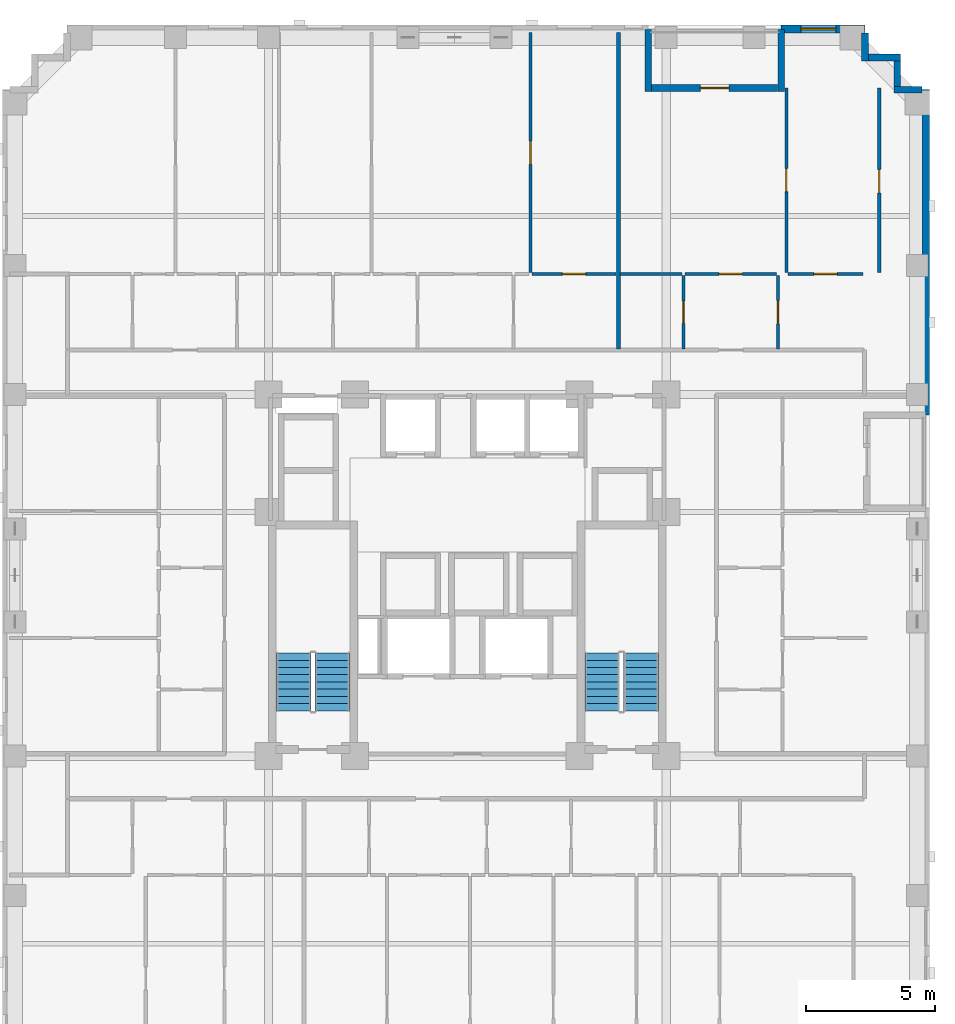
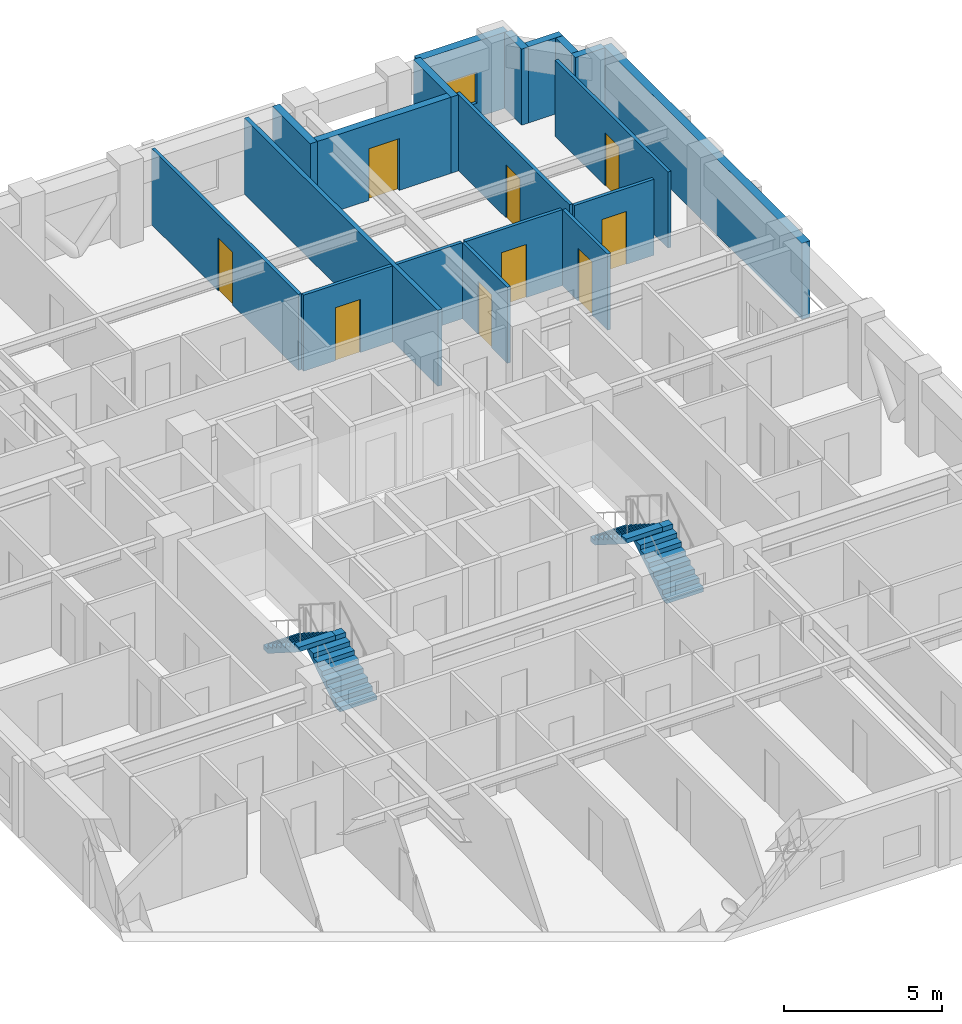
# One storey, part 8 of 12: 19 walls, 9 doors, 4 stair flights, 1 window, 10 openings, 2 elements without a shape of their own.
"""IFC4 building model written with IfcOpenShell, lengths in metres."""

from ifc_helpers import new_model, si_unit, derived_unit, direction, frame, frame_2d, origin, place, context, subcontext, project, spatial, polyline, rectangle, outline, extrude, material, layer, layer_set, type_object, element, fill, aggregate, save


model = new_model("IFC4")

# Units and contexts
model_context = context("Model", 3, precision=1e-05, world=origin(), true_north=direction((0.0, 1.0)))
body_context = subcontext(model_context, "Body", "Model", "MODEL_VIEW")
ifc_project = project(units=[si_unit("LENGTHUNIT", "METRE"), si_unit("AREAUNIT", "SQUARE_METRE"), si_unit("VOLUMEUNIT", "CUBIC_METRE"), si_unit("PLANEANGLEUNIT", "RADIAN"), si_unit("MASSUNIT", "GRAM", prefix="KILO"), derived_unit("THERMALTRANSMITTANCEUNIT", [(si_unit("MASSUNIT", "GRAM", prefix="KILO"), 1), (si_unit("TIMEUNIT", "SECOND"), -3), (si_unit("THERMODYNAMICTEMPERATUREUNIT", "KELVIN"), -1)])], contexts=[model_context])

# Site, building, storey
site_placement = place(None, origin())
site = spatial("IfcSite", under=ifc_project, at=site_placement, CompositionType="ELEMENT")
building_placement = place(site_placement, origin())
building = spatial("IfcBuilding", under=site, at=building_placement, Name="Korrvale Station Residences", CompositionType="ELEMENT")
storey_placement = place(building_placement, frame((0.0, 0.0, 84.699951171875)))
storey = spatial("IfcBuildingStorey", under=building, at=storey_placement, Name="L23", CompositionType="ELEMENT", Elevation=84.699951171875)

# Wall
ifc_material_1 = material(Name="Precast concrete C45/55", Category="concrete")
ifc_layer_1 = layer(ifc_material_1, 0.260009765625, Name="Precast concrete C45/55")
ifc_layer_set_1 = layer_set([ifc_layer_1], Name="Precast concrete C45/55")
wall_type_1 = type_object("IfcWallType", Name="WAL-EXT-LOG260", PredefinedType="SOLIDWALL", material=ifc_layer_set_1)
wall_1_placement = place(storey_placement, frame((32.5, 43.139892578125, 0.0), z_axis=(0.0, 0.0, 1.0), x_axis=(0.0, -1.0, 0.0)))
element("IfcWall", 1, at=wall_1_placement, inside=storey, type_object=wall_type_1, Name="L23 Recessed Loggia Wall BAL-L23-N1-L", PredefinedType="SOLIDWALL", context=body_context, shape_type="SweptSolid", body=[
    extrude(rectangle(XDim=2.39990234375, YDim=0.260009765625, at=frame_2d((1.199951171875, 0.0))), origin(), (0.0, 0.0, 1.0), 2.93994140625),
])

# Wall, opening, door
wall_2_placement = place(storey_placement, frame((32.634033203125, 40.8701171875, 0.0), z_axis=(0.0, 0.0, 1.0), x_axis=(1.0, 0.0, 0.0)))
wall_2 = element("IfcWall", 2, at=wall_2_placement, inside=storey, type_object=wall_type_1, Name="L23 Recessed Loggia Wall BAL-L23-N1-B", PredefinedType="SOLIDWALL", context=body_context, shape_type="SweptSolid", body=[
    extrude(rectangle(XDim=4.882080078125, YDim=0.260009765625, at=frame_2d((2.44091796875, 0.0))), origin(), (0.0, 0.0, 1.0), 2.93994140625),
])
opening_1_placement = place(wall_2_placement, frame((1.89111328125, 0.0, 0.0)))
opening_1 = element("IfcOpeningElement", 3, at=opening_1_placement, cuts=wall_2, Name="Opening BD-01", PredefinedType="OPENING", context=body_context, shape_type="SweptSolid", body=[
    extrude(rectangle(XDim=1.10009765625, YDim=2.0, at=frame_2d((0.550048828125, 1.0))), frame((0.0, 0.14013671875, 0.0), z_axis=(0.0, -1.0, 0.0), x_axis=(1.0, 0.0, 0.0)), (0.0, 0.0, 1.0), 0.280029296875),
])
ifc_material_2 = material(Name="Exterior thermally broken aluminium glazed balcony door", Category="aluminium")
door_type_1 = type_object("IfcDoorType", Name="DR-EXT-BAL", OperationType="NOTDEFINED", PredefinedType="DOOR", material=ifc_material_2)
door_1_placement = place(opening_1_placement, origin())
door_1 = element("IfcDoor", 4, at=door_1_placement, inside=storey, type_object=door_type_1, Name="L23 Loggia Balcony Door BAL-L23-N1", OperationType="SINGLE_SWING_LEFT", OverallHeight=2.0, OverallWidth=1.10009765625, PredefinedType="DOOR", context=body_context, shape_type="SweptSolid", body=[
    extrude(rectangle(XDim=1.10009765625, YDim=2.0, at=frame_2d((0.550048828125, 1.0))), frame((0.0, 0.02490234375, 0.0), z_axis=(0.0, -1.0, 0.0), x_axis=(1.0, 0.0, 0.0)), (0.0, 0.0, 1.0), 0.050048828125),
])
fill(opening_1, door_1)

# Walls
wall_3_placement = place(storey_placement, frame((37.64990234375, 40.739990234375, 0.0), z_axis=(0.0, 0.0, 1.0), x_axis=(0.0, 1.0, 0.0)))
element("IfcWall", 5, at=wall_3_placement, inside=storey, type_object=wall_type_1, Name="L23 Recessed Loggia Wall BAL-L23-N1-R", PredefinedType="SOLIDWALL", context=body_context, shape_type="SweptSolid", body=[
    extrude(rectangle(XDim=2.39990234375, YDim=0.260009765625, at=frame_2d((1.199951171875, 0.0))), origin(), (0.0, 0.0, 1.0), 2.93994140625),
])
wall_4_placement = place(storey_placement, frame((40.89990234375, 42.998046875, 0.0), z_axis=(0.0, 0.0, 1.0), x_axis=(0.0, -1.0, 0.0)))
element("IfcWall", 6, at=wall_4_placement, inside=storey, type_object=wall_type_1, Name="L23 Serrated Corner Precast Step NE-1", PredefinedType="SOLIDWALL", context=body_context, shape_type="SweptSolid", body=[
    extrude(rectangle(XDim=1.078125, YDim=0.260009765625, at=frame_2d((0.5390625, 0.0))), origin(), (0.0, 0.0, 1.0), 2.93994140625),
])
wall_5_placement = place(storey_placement, frame((41.031982421875, 42.050048828125, 0.0), z_axis=(0.0, 0.0, 1.0), x_axis=(1.0, 0.0, 0.0)))
element("IfcWall", 7, at=wall_5_placement, inside=storey, type_object=wall_type_1, Name="L23 Serrated Corner Precast Step NE-2", PredefinedType="SOLIDWALL", context=body_context, shape_type="SweptSolid", body=[
    extrude(rectangle(XDim=1.248046875, YDim=0.260009765625, at=frame_2d((0.6240234375, 0.0))), origin(), (0.0, 0.0, 1.0), 2.93994140625),
])
wall_6_placement = place(storey_placement, frame((42.14990234375, 41.91796875, 0.0), z_axis=(0.0, 0.0, 1.0), x_axis=(0.0, -1.0, 0.0)))
element("IfcWall", 8, at=wall_6_placement, inside=storey, type_object=wall_type_1, Name="L23 Serrated Corner Precast Step NE-3", PredefinedType="SOLIDWALL", context=body_context, shape_type="SweptSolid", body=[
    extrude(rectangle(XDim=0.986083984375, YDim=0.260009765625, at=frame_2d((0.4931640625, 0.0))), origin(), (0.0, 0.0, 1.0), 2.93994140625),
])
wall_7_placement = place(storey_placement, frame((42.02001953125, 40.800048828125, 0.0), z_axis=(0.0, 0.0, 1.0), x_axis=(1.0, 0.0, 0.0)))
element("IfcWall", 9, at=wall_7_placement, inside=storey, type_object=wall_type_1, Name="L23 Serrated Corner Precast Step NE-4", PredefinedType="SOLIDWALL", context=body_context, shape_type="SweptSolid", body=[
    extrude(rectangle(XDim=1.077880859375, YDim=0.260009765625, at=frame_2d((0.5390625, 0.0))), origin(), (0.0, 0.0, 1.0), 2.93994140625),
])

# Wall, opening, window
ifc_layer_2 = layer(ifc_material_1, 0.300048828125, Name="Precast concrete C45/55")
ifc_layer_set_2 = layer_set([ifc_layer_2], Name="Precast concrete C45/55")
wall_type_2 = type_object("IfcWallType", Name="WAL-EXT-PC300", PredefinedType="SOLIDWALL", material=ifc_layer_set_2)
wall_8_placement = place(storey_placement, frame((37.64990234375, 43.14990234375, 0.0), z_axis=(0.0, 0.0, 1.0), x_axis=(1.0, 0.0, 0.0)))
wall_8 = element("IfcWall", 10, at=wall_8_placement, inside=storey, type_object=wall_type_2, Name="L23 North Exterior Precast Wall 2", PredefinedType="SOLIDWALL", context=body_context, shape_type="SweptSolid", body=[
    extrude(rectangle(XDim=3.25, YDim=0.300048828125, at=frame_2d((1.625, 0.0))), origin(), (0.0, 0.0, 1.0), 2.93994140625),
])
opening_2_placement = place(wall_8_placement, frame((0.764892578125, 0.0, 0.550048828125)))
opening_2 = element("IfcOpeningElement", 11, at=opening_2_placement, cuts=wall_8, Name="Opening W-10", PredefinedType="OPENING", context=body_context, shape_type="SweptSolid", body=[
    extrude(rectangle(XDim=1.35009765625, YDim=1.199951171875, at=frame_2d((0.675048828125, 0.60009765625))), frame((0.0, 0.16015625, 0.0), z_axis=(0.0, -1.0, 0.0), x_axis=(1.0, 0.0, 0.0)), (0.0, 0.0, 1.0), 0.320068359375),
])
ifc_material_3 = material(Name="Thermally broken aluminium frame with triple low-e glazing", Category="aluminium")
window_type = type_object("IfcWindowType", Name="WIN-W10", PartitioningType="SINGLE_PANEL", PredefinedType="WINDOW", material=ifc_material_3)
window_placement = place(opening_2_placement, origin())
window = element("IfcWindow", 12, at=window_placement, inside=storey, type_object=window_type, Name="L23 Punched Window 18", OverallHeight=1.199951171875, OverallWidth=1.35009765625, PartitioningType="SINGLE_PANEL", PredefinedType="WINDOW", context=body_context, shape_type="SweptSolid", body=[
    extrude(rectangle(XDim=1.35009765625, YDim=1.199951171875, at=frame_2d((0.675048828125, 0.60009765625))), frame((0.0, 0.030029296875, 0.0), z_axis=(0.0, -1.0, 0.0), x_axis=(1.0, 0.0, 0.0)), (0.0, 0.0, 1.0), 0.06005859375),
])
fill(opening_2, window)

# Wall
wall_9_placement = place(storey_placement, frame((43.25, 40.800048828125, 0.0), z_axis=(0.0, 0.0, 1.0), x_axis=(0.0, -1.0, 0.0)))
element("IfcWall", 13, at=wall_9_placement, inside=storey, type_object=wall_type_2, Name="L23 East Exterior Precast Wall 1", PredefinedType="SOLIDWALL", context=body_context, shape_type="SweptSolid", body=[
    extrude(rectangle(XDim=12.60009765625, YDim=0.300048828125, at=frame_2d((6.300048828125, 0.0))), origin(), (0.0, 0.0, 1.0), 2.93994140625),
])

# Wall, opening, door
ifc_material_4 = material(Name="Acoustic steel-stud gypsum board partition", Category="steel")
ifc_layer_3 = layer(ifc_material_4, 0.1201171875, Name="Acoustic steel-stud gypsum board partition")
ifc_layer_set_3 = layer_set([ifc_layer_3], Name="Acoustic steel-stud gypsum board partition")
wall_type_3 = type_object("IfcWallType", Name="WAL-PART-125", PredefinedType="PARTITIONING", material=ifc_layer_set_3)
wall_10_placement = place(storey_placement, frame((28.010009765625, 33.669921875, 0.0), z_axis=(0.0, 0.0, 1.0), x_axis=(1.0, 0.0, 0.0)))
wall_10 = element("IfcWall", 14, at=wall_10_placement, inside=storey, type_object=wall_type_3, Name="L23 Suite Partition U03-H510", PredefinedType="PARTITIONING", context=body_context, shape_type="SweptSolid", body=[
    extrude(rectangle(XDim=3.239990234375, YDim=0.1201171875, at=frame_2d((1.6201171875, 0.0))), origin(), (0.0, 0.0, 1.0), 2.93994140625),
])
opening_3_placement = place(wall_10_placement, frame((1.169921875, 0.0, 0.0)))
opening_3 = element("IfcOpeningElement", 15, at=opening_3_placement, cuts=wall_10, Name="Opening DI-900", PredefinedType="OPENING", context=body_context, shape_type="SweptSolid", body=[
    extrude(rectangle(XDim=0.89990234375, YDim=2.050048828125, at=frame_2d((0.449951171875, 1.02490234375))), frame((0.0, 0.070068359375, 0.0), z_axis=(0.0, -1.0, 0.0), x_axis=(1.0, 0.0, 0.0)), (0.0, 0.0, 1.0), 0.14013671875),
])
ifc_material_5 = material(Name="Painted solid-core timber interior room door", Category="wood")
door_type_2 = type_object("IfcDoorType", Name="DR-INT-900", OperationType="NOTDEFINED", PredefinedType="DOOR", material=ifc_material_5)
door_2_placement = place(opening_3_placement, origin())
door_2 = element("IfcDoor", 16, at=door_2_placement, inside=storey, type_object=door_type_2, Name="L23 Apartment 1BR L23-U03 Storage Closet 4 Door", OperationType="SINGLE_SWING_RIGHT", OverallHeight=2.050048828125, OverallWidth=0.89990234375, PredefinedType="DOOR", context=body_context, shape_type="SweptSolid", body=[
    extrude(rectangle(XDim=0.89990234375, YDim=2.050048828125, at=frame_2d((0.449951171875, 1.02490234375))), frame((0.0, 0.02490234375, 0.0), z_axis=(0.0, -1.0, 0.0), x_axis=(1.0, 0.0, 0.0)), (0.0, 0.0, 1.0), 0.050048828125),
])
fill(opening_3, door_2)

wall_11_placement = place(storey_placement, frame((27.949951171875, 33.72998046875, 0.0), z_axis=(0.0, 0.0, 1.0), x_axis=(0.0, 1.0, 0.0)))
wall_11 = element("IfcWall", 17, at=wall_11_placement, inside=storey, type_object=wall_type_3, Name="L23 Suite Partition U03-V910", PredefinedType="PARTITIONING", context=body_context, shape_type="SweptSolid", body=[
    extrude(rectangle(XDim=9.2900390625, YDim=0.1201171875, at=frame_2d((4.64501953125, 0.0))), origin(), (0.0, 0.0, 1.0), 2.93994140625),
])
opening_4_placement = place(wall_11_placement, frame((4.179931640625, 0.0, 0.0)))
opening_4 = element("IfcOpeningElement", 18, at=opening_4_placement, cuts=wall_11, Name="Opening DI-900", PredefinedType="OPENING", context=body_context, shape_type="SweptSolid", body=[
    extrude(rectangle(XDim=0.89990234375, YDim=2.050048828125, at=frame_2d((0.449951171875, 1.02490234375))), frame((0.0, 0.070068359375, 0.0), z_axis=(0.0, -1.0, 0.0), x_axis=(1.0, 0.0, 0.0)), (0.0, 0.0, 1.0), 0.14013671875),
])
door_3_placement = place(opening_4_placement, origin())
door_3 = element("IfcDoor", 19, at=door_3_placement, inside=storey, type_object=door_type_2, Name="L23 Apartment 1BR L23-U03 Wardrobe Storage Room Door", OperationType="SINGLE_SWING_RIGHT", OverallHeight=2.050048828125, OverallWidth=0.89990234375, PredefinedType="DOOR", context=body_context, shape_type="SweptSolid", body=[
    extrude(rectangle(XDim=0.89990234375, YDim=2.050048828125, at=frame_2d((0.449951171875, 1.02490234375))), frame((0.0, 0.02490234375, 0.0), z_axis=(0.0, -1.0, 0.0), x_axis=(1.0, 0.0, 0.0)), (0.0, 0.0, 1.0), 0.050048828125),
])
fill(opening_4, door_3)

wall_12_placement = place(storey_placement, frame((33.8701171875, 30.760009765625, 0.0), z_axis=(0.0, 0.0, 1.0), x_axis=(0.0, 1.0, 0.0)))
wall_12 = element("IfcWall", 20, at=wall_12_placement, inside=storey, type_object=wall_type_3, Name="L23 Suite Partition U04-V01", PredefinedType="PARTITIONING", context=body_context, shape_type="SweptSolid", body=[
    extrude(rectangle(XDim=2.85009765625, YDim=0.1201171875, at=frame_2d((1.425048828125, 0.0))), origin(), (0.0, 0.0, 1.0), 2.93994140625),
])
opening_5_placement = place(wall_12_placement, frame((0.9951171875, 0.0, 0.0)))
opening_5 = element("IfcOpeningElement", 21, at=opening_5_placement, cuts=wall_12, Name="Opening DB-860", PredefinedType="OPENING", context=body_context, shape_type="SweptSolid", body=[
    extrude(rectangle(XDim=0.860107421875, YDim=2.050048828125, at=frame_2d((0.43017578125, 1.02490234375))), frame((0.0, 0.070068359375, 0.0), z_axis=(0.0, -1.0, 0.0), x_axis=(1.0, 0.0, 0.0)), (0.0, 0.0, 1.0), 0.14013671875),
])
ifc_material_6 = material(Name="Moisture-resistant solid-core bathroom door", Category="timber")
door_type_3 = type_object("IfcDoorType", Name="DR-BATH-860", OperationType="NOTDEFINED", PredefinedType="DOOR", material=ifc_material_6)
door_4_placement = place(opening_5_placement, origin())
door_4 = element("IfcDoor", 22, at=door_4_placement, inside=storey, type_object=door_type_3, Name="L23 Apartment 1BR L23-U04 Bathroom Door", OperationType="SINGLE_SWING_LEFT", OverallHeight=2.050048828125, OverallWidth=0.860107421875, PredefinedType="DOOR", context=body_context, shape_type="SweptSolid", body=[
    extrude(rectangle(XDim=0.860107421875, YDim=2.050048828125, at=frame_2d((0.43017578125, 1.02490234375))), frame((0.0, 0.02490234375, 0.0), z_axis=(0.0, -1.0, 0.0), x_axis=(1.0, 0.0, 0.0)), (0.0, 0.0, 1.0), 0.050048828125),
])
fill(opening_5, door_4)

# Wall
wall_13_placement = place(storey_placement, frame((31.409912109375, 33.669921875, 0.0), z_axis=(0.0, 0.0, 1.0), x_axis=(1.0, 0.0, 0.0)))
element("IfcWall", 23, at=wall_13_placement, inside=storey, type_object=wall_type_3, Name="L23 Suite Partition U04-H03", PredefinedType="PARTITIONING", context=body_context, shape_type="SweptSolid", body=[
    extrude(rectangle(XDim=2.400146484375, YDim=0.1201171875, at=frame_2d((1.2001953125, 0.0))), origin(), (0.0, 0.0, 1.0), 2.93994140625),
])

# Wall, opening, door
wall_14_placement = place(storey_placement, frame((37.530029296875, 30.760009765625, 0.0), z_axis=(0.0, 0.0, 1.0), x_axis=(0.0, 1.0, 0.0)))
wall_14 = element("IfcWall", 24, at=wall_14_placement, inside=storey, type_object=wall_type_3, Name="L23 Suite Partition U04-V12", PredefinedType="PARTITIONING", context=body_context, shape_type="SweptSolid", body=[
    extrude(rectangle(XDim=2.85009765625, YDim=0.1201171875, at=frame_2d((1.425048828125, 0.0))), origin(), (0.0, 0.0, 1.0), 2.93994140625),
])
opening_6_placement = place(wall_14_placement, frame((0.97509765625, 0.0, 0.0)))
opening_6 = element("IfcOpeningElement", 25, at=opening_6_placement, cuts=wall_14, Name="Opening DI-900", PredefinedType="OPENING", context=body_context, shape_type="SweptSolid", body=[
    extrude(rectangle(XDim=0.89990234375, YDim=2.050048828125, at=frame_2d((0.449951171875, 1.02490234375))), frame((0.0, 0.070068359375, 0.0), z_axis=(0.0, -1.0, 0.0), x_axis=(1.0, 0.0, 0.0)), (0.0, 0.0, 1.0), 0.14013671875),
])
door_5_placement = place(opening_6_placement, origin())
door_5 = element("IfcDoor", 26, at=door_5_placement, inside=storey, type_object=door_type_2, Name="L23 Apartment 1BR L23-U04 Kitchen Door", OperationType="SINGLE_SWING_RIGHT", OverallHeight=2.050048828125, OverallWidth=0.89990234375, PredefinedType="DOOR", context=body_context, shape_type="SweptSolid", body=[
    extrude(rectangle(XDim=0.89990234375, YDim=2.050048828125, at=frame_2d((0.449951171875, 1.02490234375))), frame((0.0, 0.02490234375, 0.0), z_axis=(0.0, -1.0, 0.0), x_axis=(1.0, 0.0, 0.0)), (0.0, 0.0, 1.0), 0.050048828125),
])
fill(opening_6, door_5)

wall_15_placement = place(storey_placement, frame((33.929931640625, 33.669921875, 0.0), z_axis=(0.0, 0.0, 1.0), x_axis=(1.0, 0.0, 0.0)))
wall_15 = element("IfcWall", 27, at=wall_15_placement, inside=storey, type_object=wall_type_3, Name="L23 Suite Partition U04-H13", PredefinedType="PARTITIONING", context=body_context, shape_type="SweptSolid", body=[
    extrude(rectangle(XDim=3.5400390625, YDim=0.1201171875, at=frame_2d((1.77001953125, 0.0))), origin(), (0.0, 0.0, 1.0), 2.93994140625),
])
opening_7_placement = place(wall_15_placement, frame((1.320068359375, 0.0, 0.0)))
opening_7 = element("IfcOpeningElement", 28, at=opening_7_placement, cuts=wall_15, Name="Opening DI-900", PredefinedType="OPENING", context=body_context, shape_type="SweptSolid", body=[
    extrude(rectangle(XDim=0.89990234375, YDim=2.050048828125, at=frame_2d((0.449951171875, 1.02490234375))), frame((0.0, 0.070068359375, 0.0), z_axis=(0.0, -1.0, 0.0), x_axis=(1.0, 0.0, 0.0)), (0.0, 0.0, 1.0), 0.14013671875),
])
door_6_placement = place(opening_7_placement, origin())
door_6 = element("IfcDoor", 29, at=door_6_placement, inside=storey, type_object=door_type_2, Name="L23 Apartment 1BR L23-U04 Kitchen Door", OperationType="SINGLE_SWING_LEFT", OverallHeight=2.050048828125, OverallWidth=0.89990234375, PredefinedType="DOOR", context=body_context, shape_type="SweptSolid", body=[
    extrude(rectangle(XDim=0.89990234375, YDim=2.050048828125, at=frame_2d((0.449951171875, 1.02490234375))), frame((0.0, 0.02490234375, 0.0), z_axis=(0.0, -1.0, 0.0), x_axis=(1.0, 0.0, 0.0)), (0.0, 0.0, 1.0), 0.050048828125),
])
fill(opening_7, door_6)

wall_16_placement = place(storey_placement, frame((37.909912109375, 33.669921875, 0.0), z_axis=(0.0, 0.0, 1.0), x_axis=(1.0, 0.0, 0.0)))
wall_16 = element("IfcWall", 30, at=wall_16_placement, inside=storey, type_object=wall_type_3, Name="L23 Suite Partition U04-H24", PredefinedType="PARTITIONING", context=body_context, shape_type="SweptSolid", body=[
    extrude(rectangle(XDim=2.91015625, YDim=0.1201171875, at=frame_2d((1.455078125, 0.0))), origin(), (0.0, 0.0, 1.0), 2.93994140625),
])
opening_8_placement = place(wall_16_placement, frame((1.0048828125, 0.0, 0.0)))
opening_8 = element("IfcOpeningElement", 31, at=opening_8_placement, cuts=wall_16, Name="Opening DI-900", PredefinedType="OPENING", context=body_context, shape_type="SweptSolid", body=[
    extrude(rectangle(XDim=0.89990234375, YDim=2.050048828125, at=frame_2d((0.449951171875, 1.02490234375))), frame((0.0, 0.070068359375, 0.0), z_axis=(0.0, -1.0, 0.0), x_axis=(1.0, 0.0, 0.0)), (0.0, 0.0, 1.0), 0.14013671875),
])
door_7_placement = place(opening_8_placement, origin())
door_7 = element("IfcDoor", 32, at=door_7_placement, inside=storey, type_object=door_type_2, Name="L23 Apartment 1BR L23-U04 Utility and Laundry Room Door", OperationType="SINGLE_SWING_RIGHT", OverallHeight=2.050048828125, OverallWidth=0.89990234375, PredefinedType="DOOR", context=body_context, shape_type="SweptSolid", body=[
    extrude(rectangle(XDim=0.89990234375, YDim=2.050048828125, at=frame_2d((0.449951171875, 1.02490234375))), frame((0.0, 0.02490234375, 0.0), z_axis=(0.0, -1.0, 0.0), x_axis=(1.0, 0.0, 0.0)), (0.0, 0.0, 1.0), 0.050048828125),
])
fill(opening_8, door_7)

wall_17_placement = place(storey_placement, frame((37.85009765625, 33.72998046875, 0.0), z_axis=(0.0, 0.0, 1.0), x_axis=(0.0, 1.0, 0.0)))
wall_17 = element("IfcWall", 33, at=wall_17_placement, inside=storey, type_object=wall_type_3, Name="L23 Suite Partition U04-V34", PredefinedType="PARTITIONING", context=body_context, shape_type="SweptSolid", body=[
    extrude(rectangle(XDim=7.14013671875, YDim=0.1201171875, at=frame_2d((3.570068359375, 0.0))), origin(), (0.0, 0.0, 1.0), 2.93994140625),
])
opening_9_placement = place(wall_17_placement, frame((3.1201171875, 0.0, 0.0)))
opening_9 = element("IfcOpeningElement", 34, at=opening_9_placement, cuts=wall_17, Name="Opening DI-900", PredefinedType="OPENING", context=body_context, shape_type="SweptSolid", body=[
    extrude(rectangle(XDim=0.89990234375, YDim=2.050048828125, at=frame_2d((0.449951171875, 1.02490234375))), frame((0.0, 0.070068359375, 0.0), z_axis=(0.0, -1.0, 0.0), x_axis=(1.0, 0.0, 0.0)), (0.0, 0.0, 1.0), 0.14013671875),
])
door_8_placement = place(opening_9_placement, origin())
door_8 = element("IfcDoor", 35, at=door_8_placement, inside=storey, type_object=door_type_2, Name="L23 Apartment 1BR L23-U04 Living and Dining Room Door", OperationType="SINGLE_SWING_LEFT", OverallHeight=2.050048828125, OverallWidth=0.89990234375, PredefinedType="DOOR", context=body_context, shape_type="SweptSolid", body=[
    extrude(rectangle(XDim=0.89990234375, YDim=2.050048828125, at=frame_2d((0.449951171875, 1.02490234375))), frame((0.0, 0.02490234375, 0.0), z_axis=(0.0, -1.0, 0.0), x_axis=(1.0, 0.0, 0.0)), (0.0, 0.0, 1.0), 0.050048828125),
])
fill(opening_9, door_8)

wall_18_placement = place(storey_placement, frame((41.449951171875, 33.72998046875, 0.0), z_axis=(0.0, 0.0, 1.0), x_axis=(0.0, 1.0, 0.0)))
wall_18 = element("IfcWall", 36, at=wall_18_placement, inside=storey, type_object=wall_type_3, Name="L23 Suite Partition U04-V45", PredefinedType="PARTITIONING", context=body_context, shape_type="SweptSolid", body=[
    extrude(rectangle(XDim=7.14013671875, YDim=0.1201171875, at=frame_2d((3.570068359375, 0.0))), origin(), (0.0, 0.0, 1.0), 2.93994140625),
])
opening_10_placement = place(wall_18_placement, frame((3.074951171875, 0.0, 0.0)))
opening_10 = element("IfcOpeningElement", 37, at=opening_10_placement, cuts=wall_18, Name="Opening DI-900", PredefinedType="OPENING", context=body_context, shape_type="SweptSolid", body=[
    extrude(rectangle(XDim=0.89990234375, YDim=2.050048828125, at=frame_2d((0.449951171875, 1.02490234375))), frame((0.0, 0.070068359375, 0.0), z_axis=(0.0, -1.0, 0.0), x_axis=(1.0, 0.0, 0.0)), (0.0, 0.0, 1.0), 0.14013671875),
])
door_9_placement = place(opening_10_placement, origin())
door_9 = element("IfcDoor", 38, at=door_9_placement, inside=storey, type_object=door_type_2, Name="L23 Apartment 1BR L23-U04 Bedroom 1 Door", OperationType="SINGLE_SWING_RIGHT", OverallHeight=2.050048828125, OverallWidth=0.89990234375, PredefinedType="DOOR", context=body_context, shape_type="SweptSolid", body=[
    extrude(rectangle(XDim=0.89990234375, YDim=2.050048828125, at=frame_2d((0.449951171875, 1.02490234375))), frame((0.0, 0.02490234375, 0.0), z_axis=(0.0, -1.0, 0.0), x_axis=(1.0, 0.0, 0.0)), (0.0, 0.0, 1.0), 0.050048828125),
])
fill(opening_10, door_9)

# Wall
ifc_material_7 = material(Name="Fire-rated twin-stud gypsum and mineral wool shaftwall assembly", Category="gypsum")
ifc_layer_4 = layer(ifc_material_7, 0.159912109375, Name="Fire-rated twin-stud gypsum and mineral wool shaftwall assembly")
ifc_layer_set_4 = layer_set([ifc_layer_4], Name="Fire-rated twin-stud gypsum and mineral wool shaftwall assembly")
wall_type_4 = type_object("IfcWallType", Name="WAL-PART-200", PredefinedType="PARTITIONING", material=ifc_layer_set_4)
wall_19_placement = place(storey_placement, frame((31.35009765625, 30.760009765625, 0.0), z_axis=(0.0, 0.0, 1.0), x_axis=(0.0, 1.0, 0.0)))
element("IfcWall", 39, at=wall_19_placement, inside=storey, type_object=wall_type_4, Name="L23 Demising Wall U04-W", PredefinedType="PARTITIONING", context=body_context, shape_type="SweptSolid", body=[
    extrude(rectangle(XDim=12.260009765625, YDim=0.159912109375, at=frame_2d((6.1298828125, 0.0))), origin(), (0.0, 0.0, 1.0), 2.93994140625),
])

# Stair, stair flights
ifc_material_8 = material(Name="Concrete C50/60", Category="concrete")
stair_type = type_object("IfcStairType", Name="STR-DL-1350-18R-1778", PredefinedType="HALF_TURN_STAIR", material=ifc_material_8)
stair_1_placement = place(storey_placement, origin())
stair_1 = element("IfcStair", 40, at=stair_1_placement, inside=storey, type_object=stair_type, Name="L23 Exit Stair 1", PredefinedType="HALF_TURN_STAIR")
stair_flight_type = type_object("IfcStairFlightType", Name="FLT-DL-1350-18R-1778", PredefinedType="STRAIGHT", material=ifc_material_8)
stair_flight_1_placement = place(storey_placement, frame((20.27490234375, 16.75, 0.0), z_axis=(0.0, 0.0, 1.0), x_axis=(0.0, 1.0, 0.0)))
stair_flight_1 = element("IfcStairFlight", 41, at=stair_flight_1_placement, type_object=stair_flight_type, Name="ST-1 flight 1", NumberOfRisers=9, NumberOfTreads=8, PredefinedType="STRAIGHT", RiserHeight=0.177777778, TreadLength=0.28, context=body_context, shape_type="SweptSolid", body=[
    extrude(outline(polyline([(0.0, 0.0), (0.0, 0.177734375), (0.280029296875, 0.177734375), (0.280029296875, 0.35546875), (0.56005859375, 0.35546875), (0.56005859375, 0.533447265625), (0.840087890625, 0.533447265625), (0.840087890625, 0.711181640625), (1.1201171875, 0.711181640625), (1.1201171875, 0.888916015625), (1.39990234375, 0.888916015625), (1.39990234375, 1.066650390625), (1.679931640625, 1.066650390625), (1.679931640625, 1.244384765625), (1.9599609375, 1.244384765625), (1.9599609375, 1.422119140625), (2.239990234375, 1.422119140625), (2.239990234375, 1.60009765625), (2.239990234375, 1.24462890625), (0.27978515625, 0.0), (0.0, 0.0)])), frame((0.0, 0.675048828125, 0.0), z_axis=(0.0, -1.0, 0.0), x_axis=(1.0, 0.0, 0.0)), (0.0, 0.0, 1.0), 1.35009765625),
])
stair_flight_2_placement = place(storey_placement, frame((18.77490234375, 18.989990234375, 1.60009765625), z_axis=(0.0, 0.0, 1.0), x_axis=(0.0, -1.0, 0.0)))
stair_flight_2 = element("IfcStairFlight", 42, at=stair_flight_2_placement, type_object=stair_flight_type, Name="ST-1 flight 2", NumberOfRisers=9, NumberOfTreads=8, PredefinedType="STRAIGHT", RiserHeight=0.177777778, TreadLength=0.28, context=body_context, shape_type="SweptSolid", body=[
    extrude(outline(polyline([(0.0, 0.0), (0.0, 0.177734375), (0.280029296875, 0.177734375), (0.280029296875, 0.35546875), (0.56005859375, 0.35546875), (0.56005859375, 0.533447265625), (0.840087890625, 0.533447265625), (0.840087890625, 0.711181640625), (1.1201171875, 0.711181640625), (1.1201171875, 0.888916015625), (1.39990234375, 0.888916015625), (1.39990234375, 1.066650390625), (1.679931640625, 1.066650390625), (1.679931640625, 1.244384765625), (1.9599609375, 1.244384765625), (1.9599609375, 1.422119140625), (2.239990234375, 1.422119140625), (2.239990234375, 1.60009765625), (2.239990234375, 1.24462890625), (0.27978515625, 0.0), (0.0, 0.0)])), frame((0.0, 0.675048828125, 0.0), z_axis=(0.0, -1.0, 0.0), x_axis=(1.0, 0.0, 0.0)), (0.0, 0.0, 1.0), 1.35009765625),
])
aggregate(stair_1, [stair_flight_1, stair_flight_2])

stair_2_placement = place(storey_placement, origin())
stair_2 = element("IfcStair", 43, at=stair_2_placement, inside=storey, type_object=stair_type, Name="L23 Exit Stair 2", PredefinedType="HALF_TURN_STAIR")
stair_flight_3_placement = place(storey_placement, frame((32.22509765625, 16.75, 0.0), z_axis=(0.0, 0.0, 1.0), x_axis=(0.0, 1.0, 0.0)))
stair_flight_3 = element("IfcStairFlight", 44, at=stair_flight_3_placement, type_object=stair_flight_type, Name="ST-2 flight 1", NumberOfRisers=9, NumberOfTreads=8, PredefinedType="STRAIGHT", RiserHeight=0.177777778, TreadLength=0.28, context=body_context, shape_type="SweptSolid", body=[
    extrude(outline(polyline([(0.0, 0.0), (0.0, 0.177734375), (0.280029296875, 0.177734375), (0.280029296875, 0.35546875), (0.56005859375, 0.35546875), (0.56005859375, 0.533447265625), (0.840087890625, 0.533447265625), (0.840087890625, 0.711181640625), (1.1201171875, 0.711181640625), (1.1201171875, 0.888916015625), (1.39990234375, 0.888916015625), (1.39990234375, 1.066650390625), (1.679931640625, 1.066650390625), (1.679931640625, 1.244384765625), (1.9599609375, 1.244384765625), (1.9599609375, 1.422119140625), (2.239990234375, 1.422119140625), (2.239990234375, 1.60009765625), (2.239990234375, 1.24462890625), (0.27978515625, 0.0), (0.0, 0.0)])), frame((0.0, 0.675048828125, 0.0), z_axis=(0.0, -1.0, 0.0), x_axis=(1.0, 0.0, 0.0)), (0.0, 0.0, 1.0), 1.35009765625),
])
stair_flight_4_placement = place(storey_placement, frame((30.72509765625, 18.989990234375, 1.60009765625), z_axis=(0.0, 0.0, 1.0), x_axis=(0.0, -1.0, 0.0)))
stair_flight_4 = element("IfcStairFlight", 45, at=stair_flight_4_placement, type_object=stair_flight_type, Name="ST-2 flight 2", NumberOfRisers=9, NumberOfTreads=8, PredefinedType="STRAIGHT", RiserHeight=0.177777778, TreadLength=0.28, context=body_context, shape_type="SweptSolid", body=[
    extrude(outline(polyline([(0.0, 0.0), (0.0, 0.177734375), (0.280029296875, 0.177734375), (0.280029296875, 0.35546875), (0.56005859375, 0.35546875), (0.56005859375, 0.533447265625), (0.840087890625, 0.533447265625), (0.840087890625, 0.711181640625), (1.1201171875, 0.711181640625), (1.1201171875, 0.888916015625), (1.39990234375, 0.888916015625), (1.39990234375, 1.066650390625), (1.679931640625, 1.066650390625), (1.679931640625, 1.244384765625), (1.9599609375, 1.244384765625), (1.9599609375, 1.422119140625), (2.239990234375, 1.422119140625), (2.239990234375, 1.60009765625), (2.239990234375, 1.24462890625), (0.27978515625, 0.0), (0.0, 0.0)])), frame((0.0, 0.675048828125, 0.0), z_axis=(0.0, -1.0, 0.0), x_axis=(1.0, 0.0, 0.0)), (0.0, 0.0, 1.0), 1.35009765625),
])
aggregate(stair_2, [stair_flight_3, stair_flight_4])

save(model, "model.ifc")
